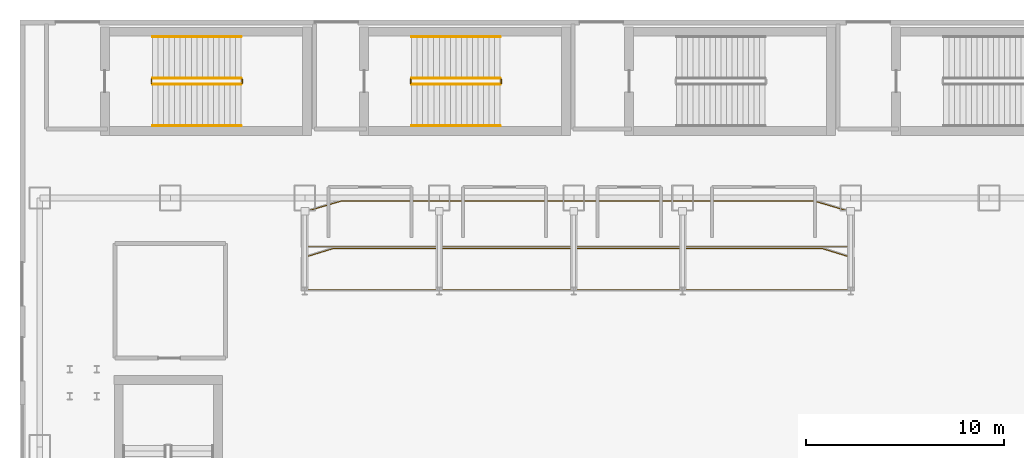
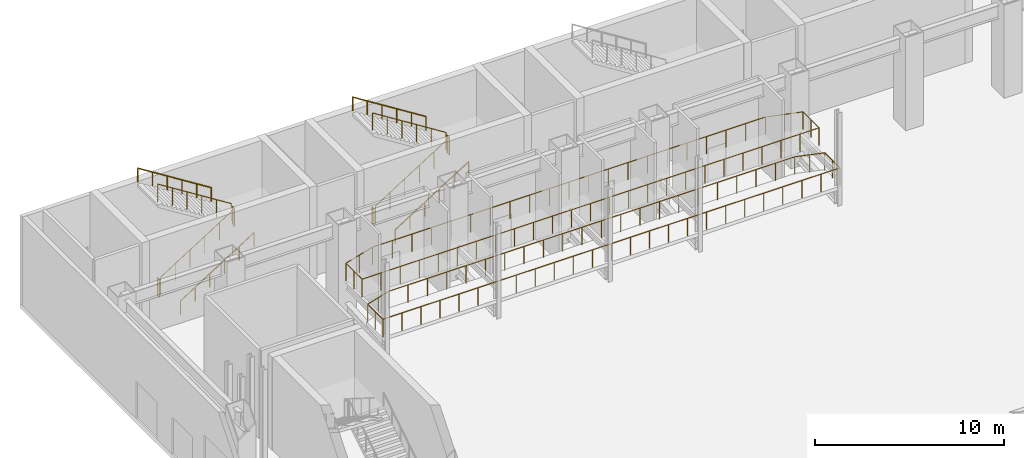
# One storey, part 20 of 25: 14 railings.
"""IFC4 building model written with IfcOpenShell, lengths in metres."""

from ifc_helpers import new_model, si_unit, derived_unit, direction, frame, origin, origin_2d, place, context, subcontext, project, spatial, circle, extrude, material, type_object, element, save


model = new_model("IFC4")

# Units and contexts
model_context = context("Model", 3, precision=1e-05, world=origin(), true_north=direction((0.0, 1.0)))
body_context = subcontext(model_context, "Body", "Model", "MODEL_VIEW")
ifc_project = project(units=[si_unit("LENGTHUNIT", "METRE"), si_unit("AREAUNIT", "SQUARE_METRE"), si_unit("VOLUMEUNIT", "CUBIC_METRE"), si_unit("PLANEANGLEUNIT", "RADIAN"), si_unit("MASSUNIT", "GRAM", prefix="KILO"), derived_unit("THERMALTRANSMITTANCEUNIT", [(si_unit("POWERUNIT", "WATT"), 1), (si_unit("LENGTHUNIT", "METRE"), -2), (si_unit("THERMODYNAMICTEMPERATUREUNIT", "KELVIN"), -1)])], contexts=[model_context])

# Site, building, storey
site_placement = place(None, origin())
site = spatial("IfcSite", under=ifc_project, at=site_placement, CompositionType="ELEMENT")
building_placement = place(site_placement, origin())
building = spatial("IfcBuilding", under=site, at=building_placement, Name="Skarnbrae Concourse Arena and Tower", CompositionType="ELEMENT")
storey_placement = place(building_placement, origin())
storey = spatial("IfcBuildingStorey", under=building, at=storey_placement, Name="L00", CompositionType="ELEMENT", Elevation=0.0)

# Railings
ifc_material = material(Name="Steel CSA G40.21 350W", Category="steel")
railing_type_1 = type_object("IfcRailingType", Name="RAIL-GUARD-1150", PredefinedType="GUARDRAIL", material=ifc_material)
railing_1_placement = place(storey_placement, frame((14.260009765625, 42.360107421875, 1.1201171875)))
element("IfcRailing", 1, at=railing_1_placement, inside=storey, type_object=railing_type_1, Name="L00 Arena seating tier lower terrace guardrail", PredefinedType="GUARDRAIL", context=body_context, shape_type="SweptSolid", body=[
    extrude(circle(Radius=0.02392578125, at=origin_2d()), frame((0.0, 0.0, 1.1259765625), z_axis=(1.0, 0.0, 0.0), x_axis=(0.0, 1.0, 0.0)), (0.0, 0.0, 1.0), 27.8798828125),
    extrude(circle(Radius=0.02392578125, at=origin_2d()), frame((27.8798828125, 0.0, 1.1259765625), z_axis=(0.0, 1.0, 0.0), x_axis=(-1.0, 0.0, 0.0)), (0.0, 0.0, 1.0), 1.599853515625),
    extrude(circle(Radius=0.02392578125, at=origin_2d()), frame((27.8798828125, 1.599853515625, 1.1259765625), z_axis=(-0.955772539449, 0.29410687315, 0.0), x_axis=(-0.29410687315, -0.955772539449, 0.0)), (0.0, 0.0, 1.0), 1.632080078125),
    extrude(circle(Radius=0.02392578125, at=origin_2d()), frame((26.320068359375, 2.079833984375, 1.1259765625), z_axis=(-1.0, 0.0, 0.0), x_axis=(0.0, -1.0, 0.0)), (0.0, 0.0, 1.0), 24.760009765625),
    extrude(circle(Radius=0.02392578125, at=origin_2d()), frame((1.56005859375, 2.079833984375, 1.1259765625), z_axis=(-0.955785476607, -0.294064827388, 0.0), x_axis=(0.294064827388, -0.955785476607, 0.0)), (0.0, 0.0, 1.0), 1.63232421875),
    extrude(circle(Radius=0.02392578125, at=origin_2d()), frame((0.0, 1.599853515625, 1.1259765625), z_axis=(0.0, -1.0, 0.0), x_axis=(1.0, 0.0, 0.0)), (0.0, 0.0, 1.0), 1.599853515625),
    extrude(circle(Radius=0.02099609375, at=origin_2d()), origin(), (0.0, 0.0, 1.0), 1.101806640625),
    extrude(circle(Radius=0.02099609375, at=origin_2d()), frame((1.16162109375, 0.0, 0.0)), (0.0, 0.0, 1.0), 1.101806640625),
    extrude(circle(Radius=0.02099609375, at=origin_2d()), frame((2.3232421875, 0.0, 0.0)), (0.0, 0.0, 1.0), 1.101806640625),
    extrude(circle(Radius=0.02099609375, at=origin_2d()), frame((3.48486328125, 0.0, 0.0)), (0.0, 0.0, 1.0), 1.101806640625),
    extrude(circle(Radius=0.02099609375, at=origin_2d()), frame((4.646728515625, 0.0, 0.0)), (0.0, 0.0, 1.0), 1.101806640625),
    extrude(circle(Radius=0.02099609375, at=origin_2d()), frame((5.808349609375, 0.0, 0.0)), (0.0, 0.0, 1.0), 1.101806640625),
    extrude(circle(Radius=0.02099609375, at=origin_2d()), frame((6.969970703125, 0.0, 0.0)), (0.0, 0.0, 1.0), 1.101806640625),
    extrude(circle(Radius=0.02099609375, at=origin_2d()), frame((8.131591796875, 0.0, 0.0)), (0.0, 0.0, 1.0), 1.101806640625),
    extrude(circle(Radius=0.02099609375, at=origin_2d()), frame((9.293212890625, 0.0, 0.0)), (0.0, 0.0, 1.0), 1.101806640625),
    extrude(circle(Radius=0.02099609375, at=origin_2d()), frame((10.455078125, 0.0, 0.0)), (0.0, 0.0, 1.0), 1.101806640625),
    extrude(circle(Radius=0.02099609375, at=origin_2d()), frame((11.61669921875, 0.0, 0.0)), (0.0, 0.0, 1.0), 1.101806640625),
    extrude(circle(Radius=0.02099609375, at=origin_2d()), frame((12.7783203125, 0.0, 0.0)), (0.0, 0.0, 1.0), 1.101806640625),
    extrude(circle(Radius=0.02099609375, at=origin_2d()), frame((13.93994140625, 0.0, 0.0)), (0.0, 0.0, 1.0), 1.101806640625),
    extrude(circle(Radius=0.02099609375, at=origin_2d()), frame((15.1015625, 0.0, 0.0)), (0.0, 0.0, 1.0), 1.101806640625),
    extrude(circle(Radius=0.02099609375, at=origin_2d()), frame((16.26318359375, 0.0, 0.0)), (0.0, 0.0, 1.0), 1.101806640625),
    extrude(circle(Radius=0.02099609375, at=origin_2d()), frame((17.4248046875, 0.0, 0.0)), (0.0, 0.0, 1.0), 1.101806640625),
    extrude(circle(Radius=0.02099609375, at=origin_2d()), frame((18.586669921875, 0.0, 0.0)), (0.0, 0.0, 1.0), 1.101806640625),
    extrude(circle(Radius=0.02099609375, at=origin_2d()), frame((19.748291015625, 0.0, 0.0)), (0.0, 0.0, 1.0), 1.101806640625),
    extrude(circle(Radius=0.02099609375, at=origin_2d()), frame((20.909912109375, 0.0, 0.0)), (0.0, 0.0, 1.0), 1.101806640625),
    extrude(circle(Radius=0.02099609375, at=origin_2d()), frame((22.071533203125, 0.0, 0.0)), (0.0, 0.0, 1.0), 1.101806640625),
    extrude(circle(Radius=0.02099609375, at=origin_2d()), frame((23.233154296875, 0.0, 0.0)), (0.0, 0.0, 1.0), 1.101806640625),
    extrude(circle(Radius=0.02099609375, at=origin_2d()), frame((24.39501953125, 0.0, 0.0)), (0.0, 0.0, 1.0), 1.101806640625),
    extrude(circle(Radius=0.02099609375, at=origin_2d()), frame((25.556640625, 0.0, 0.0)), (0.0, 0.0, 1.0), 1.101806640625),
    extrude(circle(Radius=0.02099609375, at=origin_2d()), frame((26.71826171875, 0.0, 0.0)), (0.0, 0.0, 1.0), 1.101806640625),
    extrude(circle(Radius=0.02099609375, at=origin_2d()), frame((27.8798828125, 0.0, 0.0)), (0.0, 0.0, 1.0), 1.101806640625),
    extrude(circle(Radius=0.02099609375, at=origin_2d()), frame((27.8798828125, 0.7998046875, 0.0)), (0.0, 0.0, 1.0), 1.101806640625),
    extrude(circle(Radius=0.02099609375, at=origin_2d()), frame((27.8798828125, 1.599853515625, 0.0)), (0.0, 0.0, 1.0), 1.101806640625),
    extrude(circle(Radius=0.02099609375, at=origin_2d()), frame((27.10009765625, 1.83984375, 0.0)), (0.0, 0.0, 1.0), 1.101806640625),
    extrude(circle(Radius=0.02099609375, at=origin_2d()), frame((26.320068359375, 2.079833984375, 0.0)), (0.0, 0.0, 1.0), 1.101806640625),
    extrude(circle(Radius=0.02099609375, at=origin_2d()), frame((25.14111328125, 2.079833984375, 0.0)), (0.0, 0.0, 1.0), 1.101806640625),
    extrude(circle(Radius=0.02099609375, at=origin_2d()), frame((23.9619140625, 2.079833984375, 0.0)), (0.0, 0.0, 1.0), 1.101806640625),
    extrude(circle(Radius=0.02099609375, at=origin_2d()), frame((22.782958984375, 2.079833984375, 0.0)), (0.0, 0.0, 1.0), 1.101806640625),
    extrude(circle(Radius=0.02099609375, at=origin_2d()), frame((21.603759765625, 2.079833984375, 0.0)), (0.0, 0.0, 1.0), 1.101806640625),
    extrude(circle(Radius=0.02099609375, at=origin_2d()), frame((20.4248046875, 2.079833984375, 0.0)), (0.0, 0.0, 1.0), 1.101806640625),
    extrude(circle(Radius=0.02099609375, at=origin_2d()), frame((19.245849609375, 2.079833984375, 0.0)), (0.0, 0.0, 1.0), 1.101806640625),
    extrude(circle(Radius=0.02099609375, at=origin_2d()), frame((18.066650390625, 2.079833984375, 0.0)), (0.0, 0.0, 1.0), 1.101806640625),
    extrude(circle(Radius=0.02099609375, at=origin_2d()), frame((16.8876953125, 2.079833984375, 0.0)), (0.0, 0.0, 1.0), 1.101806640625),
    extrude(circle(Radius=0.02099609375, at=origin_2d()), frame((15.708740234375, 2.079833984375, 0.0)), (0.0, 0.0, 1.0), 1.101806640625),
    extrude(circle(Radius=0.02099609375, at=origin_2d()), frame((14.529541015625, 2.079833984375, 0.0)), (0.0, 0.0, 1.0), 1.101806640625),
    extrude(circle(Radius=0.02099609375, at=origin_2d()), frame((13.3505859375, 2.079833984375, 0.0)), (0.0, 0.0, 1.0), 1.101806640625),
    extrude(circle(Radius=0.02099609375, at=origin_2d()), frame((12.17138671875, 2.079833984375, 0.0)), (0.0, 0.0, 1.0), 1.101806640625),
    extrude(circle(Radius=0.02099609375, at=origin_2d()), frame((10.992431640625, 2.079833984375, 0.0)), (0.0, 0.0, 1.0), 1.101806640625),
    extrude(circle(Radius=0.02099609375, at=origin_2d()), frame((9.8134765625, 2.079833984375, 0.0)), (0.0, 0.0, 1.0), 1.101806640625),
    extrude(circle(Radius=0.02099609375, at=origin_2d()), frame((8.63427734375, 2.079833984375, 0.0)), (0.0, 0.0, 1.0), 1.101806640625),
    extrude(circle(Radius=0.02099609375, at=origin_2d()), frame((7.455322265625, 2.079833984375, 0.0)), (0.0, 0.0, 1.0), 1.101806640625),
    extrude(circle(Radius=0.02099609375, at=origin_2d()), frame((6.2763671875, 2.079833984375, 0.0)), (0.0, 0.0, 1.0), 1.101806640625),
    extrude(circle(Radius=0.02099609375, at=origin_2d()), frame((5.09716796875, 2.079833984375, 0.0)), (0.0, 0.0, 1.0), 1.101806640625),
    extrude(circle(Radius=0.02099609375, at=origin_2d()), frame((3.918212890625, 2.079833984375, 0.0)), (0.0, 0.0, 1.0), 1.101806640625),
    extrude(circle(Radius=0.02099609375, at=origin_2d()), frame((2.739013671875, 2.079833984375, 0.0)), (0.0, 0.0, 1.0), 1.101806640625),
    extrude(circle(Radius=0.02099609375, at=origin_2d()), frame((1.56005859375, 2.079833984375, 0.0)), (0.0, 0.0, 1.0), 1.101806640625),
    extrude(circle(Radius=0.02099609375, at=origin_2d()), frame((0.780029296875, 1.83984375, 0.0)), (0.0, 0.0, 1.0), 1.101806640625),
    extrude(circle(Radius=0.02099609375, at=origin_2d()), frame((0.0, 1.599853515625, 0.0)), (0.0, 0.0, 1.0), 1.101806640625),
    extrude(circle(Radius=0.02099609375, at=origin_2d()), frame((0.0, 0.7998046875, 0.0)), (0.0, 0.0, 1.0), 1.101806640625),
])
railing_2_placement = place(storey_placement, frame((14.260009765625, 44.56005859375, 2.3701171875)))
element("IfcRailing", 2, at=railing_2_placement, inside=storey, type_object=railing_type_1, Name="L00 Arena seating tier upper terrace guardrail", PredefinedType="GUARDRAIL", context=body_context, shape_type="SweptSolid", body=[
    extrude(circle(Radius=0.02392578125, at=origin_2d()), frame((0.0, 0.0, 1.1259765625), z_axis=(1.0, 0.0, 0.0), x_axis=(0.0, 1.0, 0.0)), (0.0, 0.0, 1.0), 27.8798828125),
    extrude(circle(Radius=0.02392578125, at=origin_2d()), frame((27.8798828125, 0.0, 1.1259765625), z_axis=(0.0, 1.0, 0.0), x_axis=(-1.0, 0.0, 0.0)), (0.0, 0.0, 1.0), 1.699951171875),
    extrude(circle(Radius=0.02392578125, at=origin_2d()), frame((27.8798828125, 1.699951171875, 1.1259765625), z_axis=(-0.958884825768, 0.283795508972, 0.0), x_axis=(-0.283795508972, -0.958884825768, 0.0)), (0.0, 0.0, 1.0), 2.0439453125),
    extrude(circle(Radius=0.02392578125, at=origin_2d()), frame((25.919921875, 2.280029296875, 1.1259765625), z_axis=(-1.0, 0.0, 0.0), x_axis=(0.0, -1.0, 0.0)), (0.0, 0.0, 1.0), 23.9599609375),
    extrude(circle(Radius=0.02392578125, at=origin_2d()), frame((1.9599609375, 2.280029296875, 1.1259765625), z_axis=(-0.958884825768, -0.283795508972, 0.0), x_axis=(0.283795508972, -0.958884825768, 0.0)), (0.0, 0.0, 1.0), 2.0439453125),
    extrude(circle(Radius=0.02392578125, at=origin_2d()), frame((0.0, 1.699951171875, 1.1259765625), z_axis=(0.0, -1.0, 0.0), x_axis=(1.0, 0.0, 0.0)), (0.0, 0.0, 1.0), 1.699951171875),
    extrude(circle(Radius=0.02099609375, at=origin_2d()), origin(), (0.0, 0.0, 1.0), 1.101806640625),
    extrude(circle(Radius=0.02099609375, at=origin_2d()), frame((1.16162109375, 0.0, 0.0)), (0.0, 0.0, 1.0), 1.101806640625),
    extrude(circle(Radius=0.02099609375, at=origin_2d()), frame((2.3232421875, 0.0, 0.0)), (0.0, 0.0, 1.0), 1.101806640625),
    extrude(circle(Radius=0.02099609375, at=origin_2d()), frame((3.48486328125, 0.0, 0.0)), (0.0, 0.0, 1.0), 1.101806640625),
    extrude(circle(Radius=0.02099609375, at=origin_2d()), frame((4.646728515625, 0.0, 0.0)), (0.0, 0.0, 1.0), 1.101806640625),
    extrude(circle(Radius=0.02099609375, at=origin_2d()), frame((5.808349609375, 0.0, 0.0)), (0.0, 0.0, 1.0), 1.101806640625),
    extrude(circle(Radius=0.02099609375, at=origin_2d()), frame((6.969970703125, 0.0, 0.0)), (0.0, 0.0, 1.0), 1.101806640625),
    extrude(circle(Radius=0.02099609375, at=origin_2d()), frame((8.131591796875, 0.0, 0.0)), (0.0, 0.0, 1.0), 1.101806640625),
    extrude(circle(Radius=0.02099609375, at=origin_2d()), frame((9.293212890625, 0.0, 0.0)), (0.0, 0.0, 1.0), 1.101806640625),
    extrude(circle(Radius=0.02099609375, at=origin_2d()), frame((10.455078125, 0.0, 0.0)), (0.0, 0.0, 1.0), 1.101806640625),
    extrude(circle(Radius=0.02099609375, at=origin_2d()), frame((11.61669921875, 0.0, 0.0)), (0.0, 0.0, 1.0), 1.101806640625),
    extrude(circle(Radius=0.02099609375, at=origin_2d()), frame((12.7783203125, 0.0, 0.0)), (0.0, 0.0, 1.0), 1.101806640625),
    extrude(circle(Radius=0.02099609375, at=origin_2d()), frame((13.93994140625, 0.0, 0.0)), (0.0, 0.0, 1.0), 1.101806640625),
    extrude(circle(Radius=0.02099609375, at=origin_2d()), frame((15.1015625, 0.0, 0.0)), (0.0, 0.0, 1.0), 1.101806640625),
    extrude(circle(Radius=0.02099609375, at=origin_2d()), frame((16.26318359375, 0.0, 0.0)), (0.0, 0.0, 1.0), 1.101806640625),
    extrude(circle(Radius=0.02099609375, at=origin_2d()), frame((17.4248046875, 0.0, 0.0)), (0.0, 0.0, 1.0), 1.101806640625),
    extrude(circle(Radius=0.02099609375, at=origin_2d()), frame((18.586669921875, 0.0, 0.0)), (0.0, 0.0, 1.0), 1.101806640625),
    extrude(circle(Radius=0.02099609375, at=origin_2d()), frame((19.748291015625, 0.0, 0.0)), (0.0, 0.0, 1.0), 1.101806640625),
    extrude(circle(Radius=0.02099609375, at=origin_2d()), frame((20.909912109375, 0.0, 0.0)), (0.0, 0.0, 1.0), 1.101806640625),
    extrude(circle(Radius=0.02099609375, at=origin_2d()), frame((22.071533203125, 0.0, 0.0)), (0.0, 0.0, 1.0), 1.101806640625),
    extrude(circle(Radius=0.02099609375, at=origin_2d()), frame((23.233154296875, 0.0, 0.0)), (0.0, 0.0, 1.0), 1.101806640625),
    extrude(circle(Radius=0.02099609375, at=origin_2d()), frame((24.39501953125, 0.0, 0.0)), (0.0, 0.0, 1.0), 1.101806640625),
    extrude(circle(Radius=0.02099609375, at=origin_2d()), frame((25.556640625, 0.0, 0.0)), (0.0, 0.0, 1.0), 1.101806640625),
    extrude(circle(Radius=0.02099609375, at=origin_2d()), frame((26.71826171875, 0.0, 0.0)), (0.0, 0.0, 1.0), 1.101806640625),
    extrude(circle(Radius=0.02099609375, at=origin_2d()), frame((27.8798828125, 0.0, 0.0)), (0.0, 0.0, 1.0), 1.101806640625),
    extrude(circle(Radius=0.02099609375, at=origin_2d()), frame((27.8798828125, 0.85009765625, 0.0)), (0.0, 0.0, 1.0), 1.101806640625),
    extrude(circle(Radius=0.02099609375, at=origin_2d()), frame((27.8798828125, 1.699951171875, 0.0)), (0.0, 0.0, 1.0), 1.101806640625),
    extrude(circle(Radius=0.02099609375, at=origin_2d()), frame((26.89990234375, 1.989990234375, 0.0)), (0.0, 0.0, 1.0), 1.101806640625),
    extrude(circle(Radius=0.02099609375, at=origin_2d()), frame((25.919921875, 2.280029296875, 0.0)), (0.0, 0.0, 1.0), 1.101806640625),
    extrude(circle(Radius=0.02099609375, at=origin_2d()), frame((24.721923828125, 2.280029296875, 0.0)), (0.0, 0.0, 1.0), 1.101806640625),
    extrude(circle(Radius=0.02099609375, at=origin_2d()), frame((23.52392578125, 2.280029296875, 0.0)), (0.0, 0.0, 1.0), 1.101806640625),
    extrude(circle(Radius=0.02099609375, at=origin_2d()), frame((22.325927734375, 2.280029296875, 0.0)), (0.0, 0.0, 1.0), 1.101806640625),
    extrude(circle(Radius=0.02099609375, at=origin_2d()), frame((21.1279296875, 2.280029296875, 0.0)), (0.0, 0.0, 1.0), 1.101806640625),
    extrude(circle(Radius=0.02099609375, at=origin_2d()), frame((19.929931640625, 2.280029296875, 0.0)), (0.0, 0.0, 1.0), 1.101806640625),
    extrude(circle(Radius=0.02099609375, at=origin_2d()), frame((18.73193359375, 2.280029296875, 0.0)), (0.0, 0.0, 1.0), 1.101806640625),
    extrude(circle(Radius=0.02099609375, at=origin_2d()), frame((17.533935546875, 2.280029296875, 0.0)), (0.0, 0.0, 1.0), 1.101806640625),
    extrude(circle(Radius=0.02099609375, at=origin_2d()), frame((16.3359375, 2.280029296875, 0.0)), (0.0, 0.0, 1.0), 1.101806640625),
    extrude(circle(Radius=0.02099609375, at=origin_2d()), frame((15.137939453125, 2.280029296875, 0.0)), (0.0, 0.0, 1.0), 1.101806640625),
    extrude(circle(Radius=0.02099609375, at=origin_2d()), frame((13.93994140625, 2.280029296875, 0.0)), (0.0, 0.0, 1.0), 1.101806640625),
    extrude(circle(Radius=0.02099609375, at=origin_2d()), frame((12.741943359375, 2.280029296875, 0.0)), (0.0, 0.0, 1.0), 1.101806640625),
    extrude(circle(Radius=0.02099609375, at=origin_2d()), frame((11.5439453125, 2.280029296875, 0.0)), (0.0, 0.0, 1.0), 1.101806640625),
    extrude(circle(Radius=0.02099609375, at=origin_2d()), frame((10.345947265625, 2.280029296875, 0.0)), (0.0, 0.0, 1.0), 1.101806640625),
    extrude(circle(Radius=0.02099609375, at=origin_2d()), frame((9.14794921875, 2.280029296875, 0.0)), (0.0, 0.0, 1.0), 1.101806640625),
    extrude(circle(Radius=0.02099609375, at=origin_2d()), frame((7.949951171875, 2.280029296875, 0.0)), (0.0, 0.0, 1.0), 1.101806640625),
    extrude(circle(Radius=0.02099609375, at=origin_2d()), frame((6.751953125, 2.280029296875, 0.0)), (0.0, 0.0, 1.0), 1.101806640625),
    extrude(circle(Radius=0.02099609375, at=origin_2d()), frame((5.553955078125, 2.280029296875, 0.0)), (0.0, 0.0, 1.0), 1.101806640625),
    extrude(circle(Radius=0.02099609375, at=origin_2d()), frame((4.35595703125, 2.280029296875, 0.0)), (0.0, 0.0, 1.0), 1.101806640625),
    extrude(circle(Radius=0.02099609375, at=origin_2d()), frame((3.157958984375, 2.280029296875, 0.0)), (0.0, 0.0, 1.0), 1.101806640625),
    extrude(circle(Radius=0.02099609375, at=origin_2d()), frame((1.9599609375, 2.280029296875, 0.0)), (0.0, 0.0, 1.0), 1.101806640625),
    extrude(circle(Radius=0.02099609375, at=origin_2d()), frame((0.97998046875, 1.989990234375, 0.0)), (0.0, 0.0, 1.0), 1.101806640625),
    extrude(circle(Radius=0.02099609375, at=origin_2d()), frame((0.0, 1.699951171875, 0.0)), (0.0, 0.0, 1.0), 1.101806640625),
    extrude(circle(Radius=0.02099609375, at=origin_2d()), frame((0.0, 0.85009765625, 0.0)), (0.0, 0.0, 1.0), 1.101806640625),
])
railing_type_2 = type_object("IfcRailingType", Name="RAIL-HANDRAIL-900", PredefinedType="HANDRAIL", material=ifc_material)
railing_3_placement = place(storey_placement, frame((6.699951171875, 50.64990234375, 0.176513671875)))
element("IfcRailing", 3, at=railing_3_placement, inside=storey, type_object=railing_type_2, Name="L00 ST-A5 stair handrail 1", PredefinedType="HANDRAIL", context=body_context, shape_type="SweptSolid", body=[
    extrude(circle(Radius=0.02392578125, at=origin_2d()), frame((0.0, 0.0, 0.8759765625), z_axis=(0.845997938375, 0.0, 0.533186166611), x_axis=(0.0, 1.0, 0.0)), (0.0, 0.0, 1.0), 5.29541015625),
    extrude(circle(Radius=0.02099609375, at=origin_2d()), origin(), (0.0, 0.0, 1.0), 0.851806640625),
    extrude(circle(Radius=0.02099609375, at=origin_2d()), frame((0.89599609375, 0.0, 0.564697265625)), (0.0, 0.0, 1.0), 0.851806640625),
    extrude(circle(Radius=0.02099609375, at=origin_2d()), frame((1.7919921875, 0.0, 1.12939453125)), (0.0, 0.0, 1.0), 0.851806640625),
    extrude(circle(Radius=0.02099609375, at=origin_2d()), frame((2.68798828125, 0.0, 1.694091796875)), (0.0, 0.0, 1.0), 0.851806640625),
    extrude(circle(Radius=0.02099609375, at=origin_2d()), frame((3.583984375, 0.0, 2.2587890625)), (0.0, 0.0, 1.0), 0.851806640625),
    extrude(circle(Radius=0.02099609375, at=origin_2d()), frame((4.47998046875, 0.0, 2.823486328125)), (0.0, 0.0, 1.0), 0.851806640625),
])
railing_4_placement = place(storey_placement, frame((11.179931640625, 55.14990234375, 3.176513671875)))
element("IfcRailing", 4, at=railing_4_placement, inside=storey, type_object=railing_type_2, Name="L00 ST-A5 stair handrail 2", PredefinedType="HANDRAIL", context=body_context, shape_type="SweptSolid", body=[
    extrude(circle(Radius=0.02392578125, at=origin_2d()), frame((0.0, 0.0, 0.8759765625), z_axis=(-0.845997938375, 0.0, 0.533186166611), x_axis=(0.0, -1.0, 0.0)), (0.0, 0.0, 1.0), 5.29541015625),
    extrude(circle(Radius=0.02099609375, at=origin_2d()), origin(), (0.0, 0.0, 1.0), 0.851806640625),
    extrude(circle(Radius=0.02099609375, at=origin_2d()), frame((-0.89599609375, 0.0, 0.564697265625)), (0.0, 0.0, 1.0), 0.851806640625),
    extrude(circle(Radius=0.02099609375, at=origin_2d()), frame((-1.7919921875, 0.0, 1.12939453125)), (0.0, 0.0, 1.0), 0.851806640625),
    extrude(circle(Radius=0.02099609375, at=origin_2d()), frame((-2.68798828125, 0.0, 1.694091796875)), (0.0, 0.0, 1.0), 0.851806640625),
    extrude(circle(Radius=0.02099609375, at=origin_2d()), frame((-3.583984375, 0.0, 2.2587890625)), (0.0, 0.0, 1.0), 0.851806640625),
    extrude(circle(Radius=0.02099609375, at=origin_2d()), frame((-4.47998046875, 0.0, 2.823486328125)), (0.0, 0.0, 1.0), 0.851806640625),
])
railing_5_placement = place(storey_placement, frame((19.800048828125, 50.64990234375, 0.176513671875)))
element("IfcRailing", 5, at=railing_5_placement, inside=storey, type_object=railing_type_2, Name="L00 ST-A6 stair handrail 1", PredefinedType="HANDRAIL", context=body_context, shape_type="SweptSolid", body=[
    extrude(circle(Radius=0.02392578125, at=origin_2d()), frame((0.0, 0.0, 0.8759765625), z_axis=(0.845997938375, 0.0, 0.533186166611), x_axis=(0.0, 1.0, 0.0)), (0.0, 0.0, 1.0), 5.29541015625),
    extrude(circle(Radius=0.02099609375, at=origin_2d()), origin(), (0.0, 0.0, 1.0), 0.851806640625),
    extrude(circle(Radius=0.02099609375, at=origin_2d()), frame((0.89599609375, 0.0, 0.564697265625)), (0.0, 0.0, 1.0), 0.851806640625),
    extrude(circle(Radius=0.02099609375, at=origin_2d()), frame((1.7919921875, 0.0, 1.12939453125)), (0.0, 0.0, 1.0), 0.851806640625),
    extrude(circle(Radius=0.02099609375, at=origin_2d()), frame((2.68798828125, 0.0, 1.694091796875)), (0.0, 0.0, 1.0), 0.851806640625),
    extrude(circle(Radius=0.02099609375, at=origin_2d()), frame((3.583984375, 0.0, 2.2587890625)), (0.0, 0.0, 1.0), 0.851806640625),
    extrude(circle(Radius=0.02099609375, at=origin_2d()), frame((4.47998046875, 0.0, 2.823486328125)), (0.0, 0.0, 1.0), 0.851806640625),
])
railing_6_placement = place(storey_placement, frame((24.280029296875, 55.14990234375, 3.176513671875)))
element("IfcRailing", 6, at=railing_6_placement, inside=storey, type_object=railing_type_2, Name="L00 ST-A6 stair handrail 2", PredefinedType="HANDRAIL", context=body_context, shape_type="SweptSolid", body=[
    extrude(circle(Radius=0.02392578125, at=origin_2d()), frame((0.0, 0.0, 0.8759765625), z_axis=(-0.845997938375, 0.0, 0.533186166611), x_axis=(0.0, -1.0, 0.0)), (0.0, 0.0, 1.0), 5.29541015625),
    extrude(circle(Radius=0.02099609375, at=origin_2d()), origin(), (0.0, 0.0, 1.0), 0.851806640625),
    extrude(circle(Radius=0.02099609375, at=origin_2d()), frame((-0.89599609375, 0.0, 0.564697265625)), (0.0, 0.0, 1.0), 0.851806640625),
    extrude(circle(Radius=0.02099609375, at=origin_2d()), frame((-1.7919921875, 0.0, 1.12939453125)), (0.0, 0.0, 1.0), 0.851806640625),
    extrude(circle(Radius=0.02099609375, at=origin_2d()), frame((-2.68798828125, 0.0, 1.694091796875)), (0.0, 0.0, 1.0), 0.851806640625),
    extrude(circle(Radius=0.02099609375, at=origin_2d()), frame((-3.583984375, 0.0, 2.2587890625)), (0.0, 0.0, 1.0), 0.851806640625),
    extrude(circle(Radius=0.02099609375, at=origin_2d()), frame((-4.47998046875, 0.0, 2.823486328125)), (0.0, 0.0, 1.0), 0.851806640625),
])
railing_type_3 = type_object("IfcRailingType", Name="RAIL-STAIR-GUARD-1150", PredefinedType="GUARDRAIL", material=ifc_material)
railing_7_placement = place(storey_placement, frame((6.699951171875, 52.75, 0.176513671875)))
element("IfcRailing", 7, at=railing_7_placement, inside=storey, type_object=railing_type_3, Name="L00 ST-A5 stair guard 1", PredefinedType="GUARDRAIL", context=body_context, shape_type="SweptSolid", body=[
    extrude(circle(Radius=0.02392578125, at=origin_2d()), frame((0.0, 0.0, 1.1259765625), z_axis=(0.845997938375, 0.0, 0.533186166611), x_axis=(0.0, 1.0, 0.0)), (0.0, 0.0, 1.0), 5.29541015625),
    extrude(circle(Radius=0.02099609375, at=origin_2d()), origin(), (0.0, 0.0, 1.0), 1.101806640625),
    extrude(circle(Radius=0.02099609375, at=origin_2d()), frame((0.89599609375, 0.0, 0.564697265625)), (0.0, 0.0, 1.0), 1.101806640625),
    extrude(circle(Radius=0.02099609375, at=origin_2d()), frame((1.7919921875, 0.0, 1.12939453125)), (0.0, 0.0, 1.0), 1.101806640625),
    extrude(circle(Radius=0.02099609375, at=origin_2d()), frame((2.68798828125, 0.0, 1.694091796875)), (0.0, 0.0, 1.0), 1.101806640625),
    extrude(circle(Radius=0.02099609375, at=origin_2d()), frame((3.583984375, 0.0, 2.2587890625)), (0.0, 0.0, 1.0), 1.101806640625),
    extrude(circle(Radius=0.02099609375, at=origin_2d()), frame((4.47998046875, 0.0, 2.823486328125)), (0.0, 0.0, 1.0), 1.101806640625),
])
railing_8_placement = place(storey_placement, frame((11.22998046875, 52.800048828125, 3.0)))
element("IfcRailing", 8, at=railing_8_placement, inside=storey, type_object=railing_type_3, Name="L00 ST-A5 stair guard 2", PredefinedType="GUARDRAIL", context=body_context, shape_type="SweptSolid", body=[
    extrude(circle(Radius=0.02392578125, at=origin_2d()), frame((0.0, 0.0, 1.1259765625), z_axis=(0.0, 1.0, 0.0), x_axis=(-1.0, 0.0, 0.0)), (0.0, 0.0, 1.0), 0.199951171875),
    extrude(circle(Radius=0.02099609375, at=origin_2d()), origin(), (0.0, 0.0, 1.0), 1.101806640625),
    extrude(circle(Radius=0.02099609375, at=origin_2d()), frame((0.0, 0.199951171875, 0.0)), (0.0, 0.0, 1.0), 1.101806640625),
])
railing_9_placement = place(storey_placement, frame((11.179931640625, 53.050048828125, 3.176513671875)))
element("IfcRailing", 9, at=railing_9_placement, inside=storey, type_object=railing_type_3, Name="L00 ST-A5 stair guard 3", PredefinedType="GUARDRAIL", context=body_context, shape_type="SweptSolid", body=[
    extrude(circle(Radius=0.02392578125, at=origin_2d()), frame((0.0, 0.0, 1.1259765625), z_axis=(-0.845997938375, 0.0, 0.533186166611), x_axis=(0.0, -1.0, 0.0)), (0.0, 0.0, 1.0), 5.29541015625),
    extrude(circle(Radius=0.02099609375, at=origin_2d()), origin(), (0.0, 0.0, 1.0), 1.101806640625),
    extrude(circle(Radius=0.02099609375, at=origin_2d()), frame((-0.89599609375, 0.0, 0.564697265625)), (0.0, 0.0, 1.0), 1.101806640625),
    extrude(circle(Radius=0.02099609375, at=origin_2d()), frame((-1.7919921875, 0.0, 1.12939453125)), (0.0, 0.0, 1.0), 1.101806640625),
    extrude(circle(Radius=0.02099609375, at=origin_2d()), frame((-2.68798828125, 0.0, 1.694091796875)), (0.0, 0.0, 1.0), 1.101806640625),
    extrude(circle(Radius=0.02099609375, at=origin_2d()), frame((-3.583984375, 0.0, 2.2587890625)), (0.0, 0.0, 1.0), 1.101806640625),
    extrude(circle(Radius=0.02099609375, at=origin_2d()), frame((-4.47998046875, 0.0, 2.823486328125)), (0.0, 0.0, 1.0), 1.101806640625),
])
railing_10_placement = place(storey_placement, frame((6.64990234375, 52.800048828125, 0.0)))
element("IfcRailing", 10, at=railing_10_placement, inside=storey, type_object=railing_type_3, Name="L00 ST-A5 stair guard 4", PredefinedType="GUARDRAIL", context=body_context, shape_type="SweptSolid", body=[
    extrude(circle(Radius=0.02392578125, at=origin_2d()), frame((0.0, 0.0, 1.1259765625), z_axis=(0.0, 1.0, 0.0), x_axis=(-1.0, 0.0, 0.0)), (0.0, 0.0, 1.0), 0.199951171875),
    extrude(circle(Radius=0.02099609375, at=origin_2d()), origin(), (0.0, 0.0, 1.0), 1.101806640625),
    extrude(circle(Radius=0.02099609375, at=origin_2d()), frame((0.0, 0.199951171875, 0.0)), (0.0, 0.0, 1.0), 1.101806640625),
])
railing_11_placement = place(storey_placement, frame((19.800048828125, 52.75, 0.176513671875)))
element("IfcRailing", 11, at=railing_11_placement, inside=storey, type_object=railing_type_3, Name="L00 ST-A6 stair guard 1", PredefinedType="GUARDRAIL", context=body_context, shape_type="SweptSolid", body=[
    extrude(circle(Radius=0.02392578125, at=origin_2d()), frame((0.0, 0.0, 1.1259765625), z_axis=(0.845997938375, 0.0, 0.533186166611), x_axis=(0.0, 1.0, 0.0)), (0.0, 0.0, 1.0), 5.29541015625),
    extrude(circle(Radius=0.02099609375, at=origin_2d()), origin(), (0.0, 0.0, 1.0), 1.101806640625),
    extrude(circle(Radius=0.02099609375, at=origin_2d()), frame((0.89599609375, 0.0, 0.564697265625)), (0.0, 0.0, 1.0), 1.101806640625),
    extrude(circle(Radius=0.02099609375, at=origin_2d()), frame((1.7919921875, 0.0, 1.12939453125)), (0.0, 0.0, 1.0), 1.101806640625),
    extrude(circle(Radius=0.02099609375, at=origin_2d()), frame((2.68798828125, 0.0, 1.694091796875)), (0.0, 0.0, 1.0), 1.101806640625),
    extrude(circle(Radius=0.02099609375, at=origin_2d()), frame((3.583984375, 0.0, 2.2587890625)), (0.0, 0.0, 1.0), 1.101806640625),
    extrude(circle(Radius=0.02099609375, at=origin_2d()), frame((4.47998046875, 0.0, 2.823486328125)), (0.0, 0.0, 1.0), 1.101806640625),
])
railing_12_placement = place(storey_placement, frame((24.330078125, 52.800048828125, 3.0)))
element("IfcRailing", 12, at=railing_12_placement, inside=storey, type_object=railing_type_3, Name="L00 ST-A6 stair guard 2", PredefinedType="GUARDRAIL", context=body_context, shape_type="SweptSolid", body=[
    extrude(circle(Radius=0.02392578125, at=origin_2d()), frame((0.0, 0.0, 1.1259765625), z_axis=(0.0, 1.0, 0.0), x_axis=(-1.0, 0.0, 0.0)), (0.0, 0.0, 1.0), 0.199951171875),
    extrude(circle(Radius=0.02099609375, at=origin_2d()), origin(), (0.0, 0.0, 1.0), 1.101806640625),
    extrude(circle(Radius=0.02099609375, at=origin_2d()), frame((0.0, 0.199951171875, 0.0)), (0.0, 0.0, 1.0), 1.101806640625),
])
railing_13_placement = place(storey_placement, frame((24.280029296875, 53.050048828125, 3.176513671875)))
element("IfcRailing", 13, at=railing_13_placement, inside=storey, type_object=railing_type_3, Name="L00 ST-A6 stair guard 3", PredefinedType="GUARDRAIL", context=body_context, shape_type="SweptSolid", body=[
    extrude(circle(Radius=0.02392578125, at=origin_2d()), frame((0.0, 0.0, 1.1259765625), z_axis=(-0.845997938375, 0.0, 0.533186166611), x_axis=(0.0, -1.0, 0.0)), (0.0, 0.0, 1.0), 5.29541015625),
    extrude(circle(Radius=0.02099609375, at=origin_2d()), origin(), (0.0, 0.0, 1.0), 1.101806640625),
    extrude(circle(Radius=0.02099609375, at=origin_2d()), frame((-0.89599609375, 0.0, 0.564697265625)), (0.0, 0.0, 1.0), 1.101806640625),
    extrude(circle(Radius=0.02099609375, at=origin_2d()), frame((-1.7919921875, 0.0, 1.12939453125)), (0.0, 0.0, 1.0), 1.101806640625),
    extrude(circle(Radius=0.02099609375, at=origin_2d()), frame((-2.68798828125, 0.0, 1.694091796875)), (0.0, 0.0, 1.0), 1.101806640625),
    extrude(circle(Radius=0.02099609375, at=origin_2d()), frame((-3.583984375, 0.0, 2.2587890625)), (0.0, 0.0, 1.0), 1.101806640625),
    extrude(circle(Radius=0.02099609375, at=origin_2d()), frame((-4.47998046875, 0.0, 2.823486328125)), (0.0, 0.0, 1.0), 1.101806640625),
])
railing_14_placement = place(storey_placement, frame((19.75, 52.800048828125, 0.0)))
element("IfcRailing", 14, at=railing_14_placement, inside=storey, type_object=railing_type_3, Name="L00 ST-A6 stair guard 4", PredefinedType="GUARDRAIL", context=body_context, shape_type="SweptSolid", body=[
    extrude(circle(Radius=0.02392578125, at=origin_2d()), frame((0.0, 0.0, 1.1259765625), z_axis=(0.0, 1.0, 0.0), x_axis=(-1.0, 0.0, 0.0)), (0.0, 0.0, 1.0), 0.199951171875),
    extrude(circle(Radius=0.02099609375, at=origin_2d()), origin(), (0.0, 0.0, 1.0), 1.101806640625),
    extrude(circle(Radius=0.02099609375, at=origin_2d()), frame((0.0, 0.199951171875, 0.0)), (0.0, 0.0, 1.0), 1.101806640625),
])

save(model, "model.ifc")
